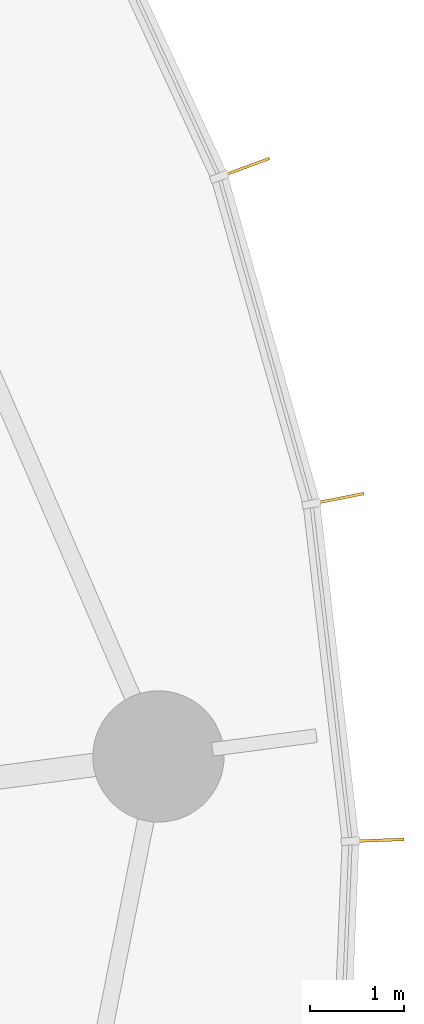
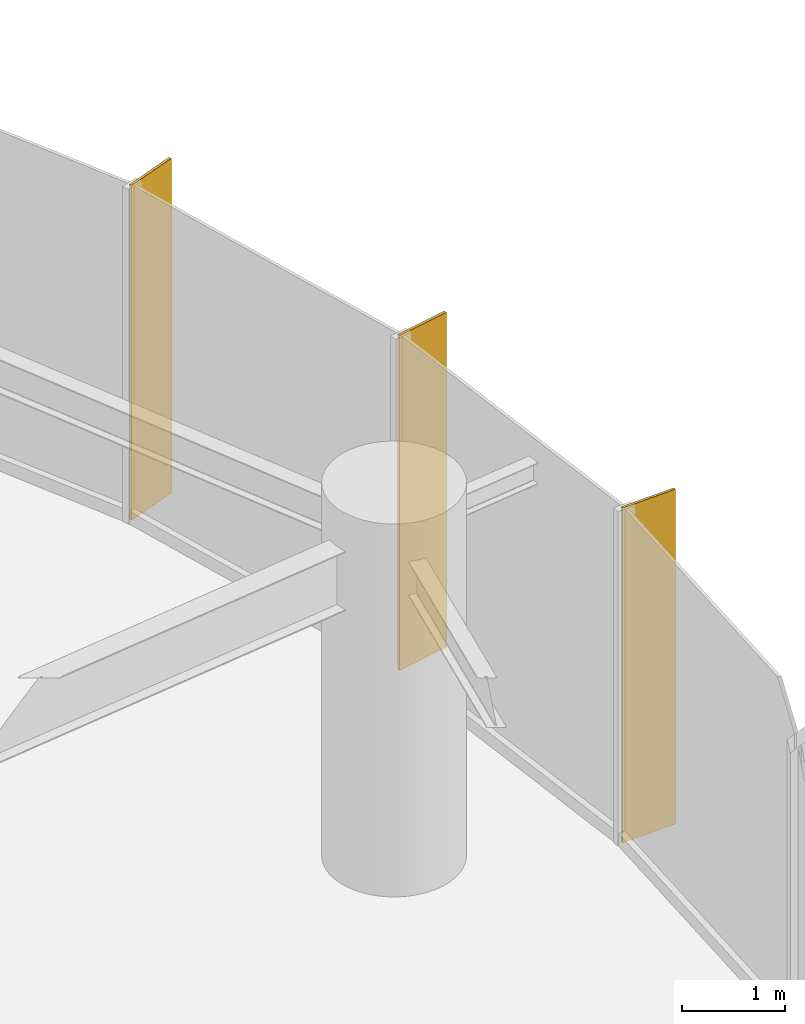
# One storey, part 19 of 19: 3 shading devices.
"""IFC4 building model written with IfcOpenShell, lengths in metres."""

from ifc_helpers import new_model, si_unit, direction, frame, origin, origin_2d, place, context, subcontext, project, spatial, rectangle, extrude, source, transform, mapped, material, material_profile, profile_set, type_object, element, save


model = new_model("IFC4")

# Units and contexts
model_context = context("Model", 3, precision=1e-05, world=origin(), true_north=direction((0.0, 1.0)))
body_context = subcontext(model_context, "Body", "Model", "MODEL_VIEW")
ifc_project = project(units=[si_unit("LENGTHUNIT", "METRE"), si_unit("AREAUNIT", "SQUARE_METRE"), si_unit("VOLUMEUNIT", "CUBIC_METRE"), si_unit("PLANEANGLEUNIT", "RADIAN"), si_unit("MASSUNIT", "GRAM", prefix="KILO")], contexts=[model_context])

# Site, building, storey
site_placement = place(None, origin())
site = spatial("IfcSite", under=ifc_project, at=site_placement, CompositionType="ELEMENT")
building_placement = place(site_placement, origin())
building = spatial("IfcBuilding", under=site, at=building_placement, Name="Spindrift Exchange Tower", CompositionType="ELEMENT")
storey_placement = place(building_placement, frame((0.0, 0.0, 57.800048828125)))
storey = spatial("IfcBuildingStorey", under=building, at=storey_placement, Name="L13", CompositionType="ELEMENT", Elevation=57.800048828125)

# Shading devices
ifc_material = material(Name="Bronze anodised aluminium", Category="aluminium")
ifc_material_profile = material_profile(ifc_material, rectangle(XDim=0.030029296875, YDim=0.60009765625, at=origin_2d()), Name="WIND FIN 30X600")
ifc_profile_set = profile_set([ifc_material_profile], Name="Bronze anodised aluminium")
shading_device_type = type_object("IfcShadingDeviceType", Name="WIND FIN 30X600", PredefinedType="USERDEFINED", material=ifc_profile_set)
shared_shape = source(origin(), body_context, "Body", "SweptSolid", [
    extrude(rectangle(XDim=0.030029296875, YDim=0.60009765625, at=origin_2d()), origin(), (0.0, 0.0, 1.0), 3.949951171875),
])
for number, where, z_axis, x_axis, name in (
    (1, (89.8876953125, 55.485107421875, 0.0), (0.0, 0.0, 1.0), (-0.193820008193, 0.981037106548, 0.0), "L13 wind fin 2"),
    (2, (88.892578125, 59.0146484375, 0.0), (0.0, 0.0, 1.0), (-0.346023720556, 0.938225764309, 0.0), "L13 wind fin 3"),
    (3, (90.3095703125, 51.84228515625, 0.0), (0.0, 0.0, 1.0), (-0.036767543577, 0.999323845277, 0.0), "L13 wind fin 4"),
):
    element("IfcShadingDevice", number, at=place(storey_placement, frame(where, z_axis=z_axis, x_axis=x_axis)), inside=storey, type_object=shading_device_type, Name=name, ObjectType="FIN", PredefinedType="USERDEFINED", context=body_context, shape_type="MappedRepresentation", body=[
        mapped(shared_shape, transform((0.0, 0.0, 0.0), scale=1.0)),
    ])

save(model, "model.ifc")
